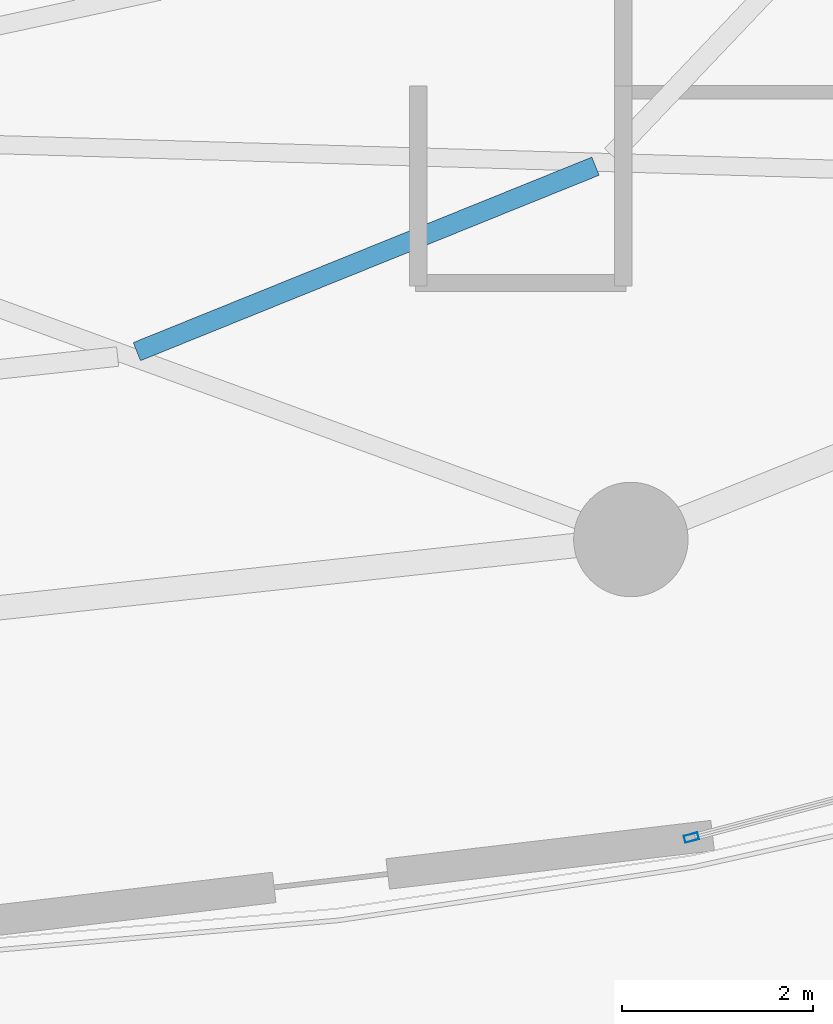
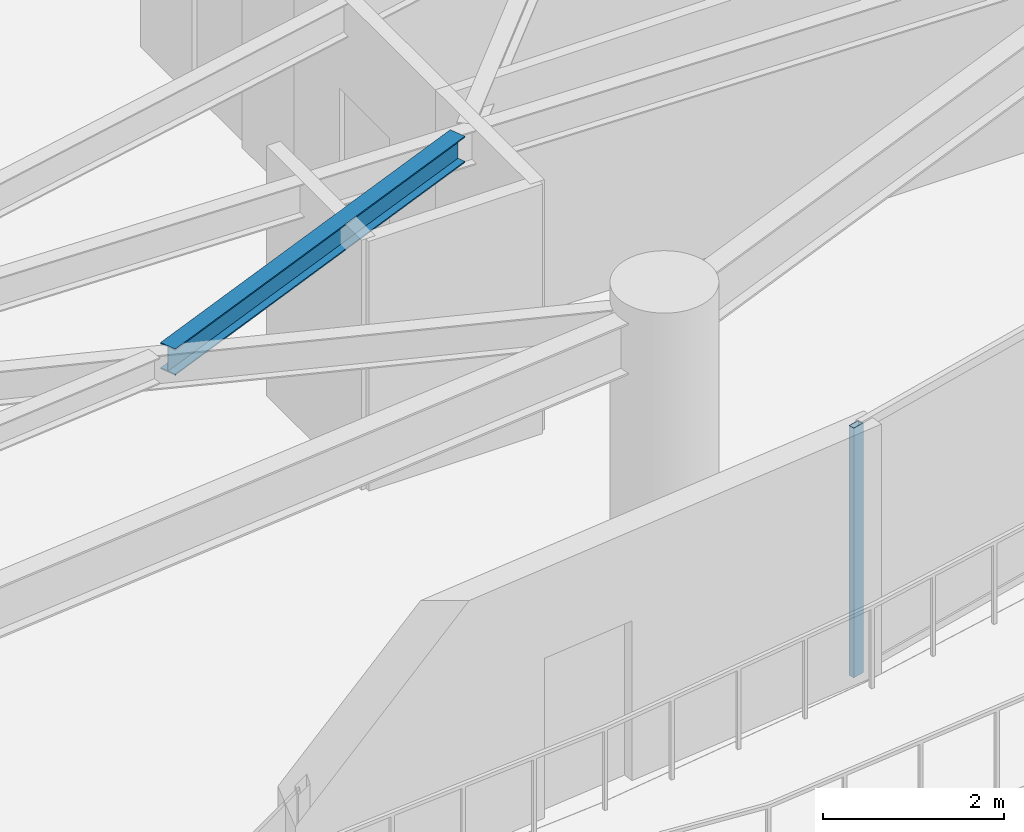
# One storey, part 12 of 33: 1 beam, 1 member, 1 element without a shape of its own.
"""IFC4 building model written with IfcOpenShell, lengths in metres."""

from ifc_helpers import new_model, si_unit, direction, frame, origin, origin_2d, place, context, subcontext, project, spatial, hollow_rectangle, i_section, extrude, material, layer, layer_set, material_profile, profile_set, type_object, element, aggregate, save


model = new_model("IFC4")

# Units and contexts
model_context = context("Model", 3, precision=1e-05, world=origin(), true_north=direction((0.0, 1.0)))
body_context = subcontext(model_context, "Body", "Model", "MODEL_VIEW")
ifc_project = project(units=[si_unit("LENGTHUNIT", "METRE"), si_unit("AREAUNIT", "SQUARE_METRE"), si_unit("VOLUMEUNIT", "CUBIC_METRE"), si_unit("PLANEANGLEUNIT", "RADIAN"), si_unit("MASSUNIT", "GRAM", prefix="KILO")], contexts=[model_context])

# Site, building, storey
site_placement = place(None, origin())
site = spatial("IfcSite", under=ifc_project, at=site_placement, CompositionType="ELEMENT")
building_placement = place(site_placement, origin())
building = spatial("IfcBuilding", under=site, at=building_placement, Name="Kazevale Care Tower and Concert Hall", CompositionType="ELEMENT")
storey_placement = place(building_placement, frame((0.0, 0.0, 149.39990234375)))
storey = spatial("IfcBuildingStorey", under=building, at=storey_placement, Name="L39", CompositionType="ELEMENT", Elevation=149.39990234375)

# Curtain wall, member
ifc_material_1 = material(Name="Aluminium 6063-T6 and Low-E Glass", Category="aluminium")
ifc_layer = layer(ifc_material_1, 0.179931640625)
ifc_layer_set = layer_set([ifc_layer], Name="Aluminium 6063-T6 and Low-E Glass")
curtain_wall_type = type_object("IfcCurtainWallType", Name="Sheltered Concave Balcony Curtain Wall CW-5", PredefinedType="NOTDEFINED", material=ifc_layer_set)
curtain_wall_placement = place(storey_placement, origin())
curtain_wall = element("IfcCurtainWall", 1, at=curtain_wall_placement, inside=storey, type_object=curtain_wall_type, Name="cw:L39:f04", PredefinedType="NOTDEFINED")
ifc_material_2 = material(Name="Aluminium 6063-T6", Category="aluminium")
ifc_material_profile_1 = material_profile(ifc_material_2, hollow_rectangle(XDim=0.074951171875, YDim=0.14990234375, WallThickness=0.00390625, at=origin_2d()), Name="ALU75x150x4")
ifc_profile_set_1 = profile_set([ifc_material_profile_1], Name="Aluminium 6063-T6")
member_type = type_object("IfcMemberType", Name="CW-5 Mullion ALU75x150x4", PredefinedType="MULLION", material=ifc_profile_set_1)
member_placement = place(storey_placement, frame((56.365234375, 16.18359375, 0.0), z_axis=(0.0, 0.0, 1.0), x_axis=(0.254238458229, -0.967141564797, 0.0)))
member = element("IfcMember", 2, at=member_placement, type_object=member_type, Name="CW-5 mullion 2", PredefinedType="MULLION", context=body_context, shape_type="SweptSolid", body=[
    extrude(hollow_rectangle(XDim=0.074951171875, YDim=0.14990234375, WallThickness=0.00390625, at=origin_2d()), origin(), (0.0, 0.0, 1.0), 3.360107421875),
])
aggregate(curtain_wall, [member])

# Beam
ifc_material_3 = material(Name="Steel ASTM A572 Gr 50", Category="steel")
ifc_material_profile_2 = material_profile(ifc_material_3, i_section(OverallWidth=0.205078125, OverallDepth=0.35400390625, WebThickness=0.009521484375, FlangeThickness=0.016845703125, at=origin_2d()), Name="W360x79")
ifc_profile_set_2 = profile_set([ifc_material_profile_2], Name="Steel ASTM A572 Gr 50")
beam_type = type_object("IfcBeamType", Name="Secondary Floor Joist W360x79", PredefinedType="JOIST", material=ifc_profile_set_2)
beam_placement = place(storey_placement, frame((50.549072265625, 21.280029296875, 3.18310546875), z_axis=(0.927064833216, 0.374901046964, 0.0), x_axis=(-0.374901046964, 0.927064833216, 0.0)))
element("IfcBeam", 3, at=beam_placement, inside=storey, type_object=beam_type, Name="beam:L39:joist:14", PredefinedType="JOIST", context=body_context, shape_type="SweptSolid", body=[
    extrude(i_section(OverallWidth=0.205078125, OverallDepth=0.35400390625, WebThickness=0.009521484375, FlangeThickness=0.016845703125, at=origin_2d()), origin(), (0.0, 0.0, 1.0), 5.188232421875),
])

save(model, "model.ifc")
